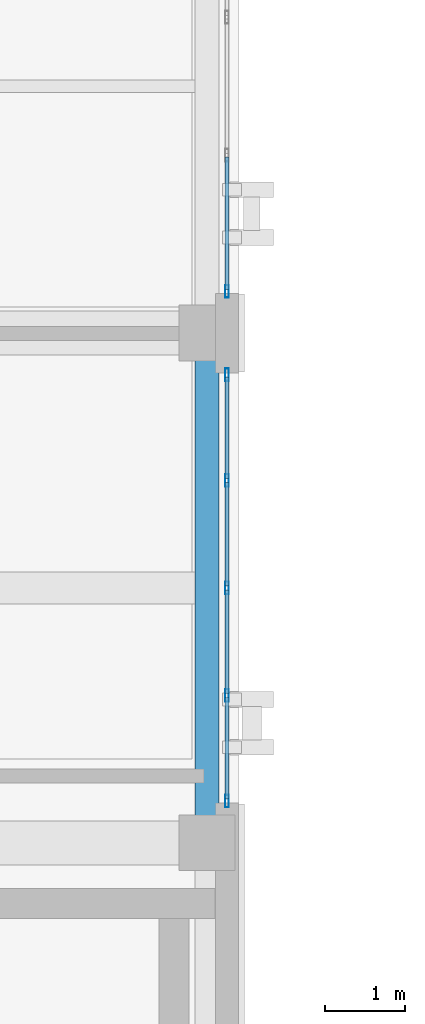
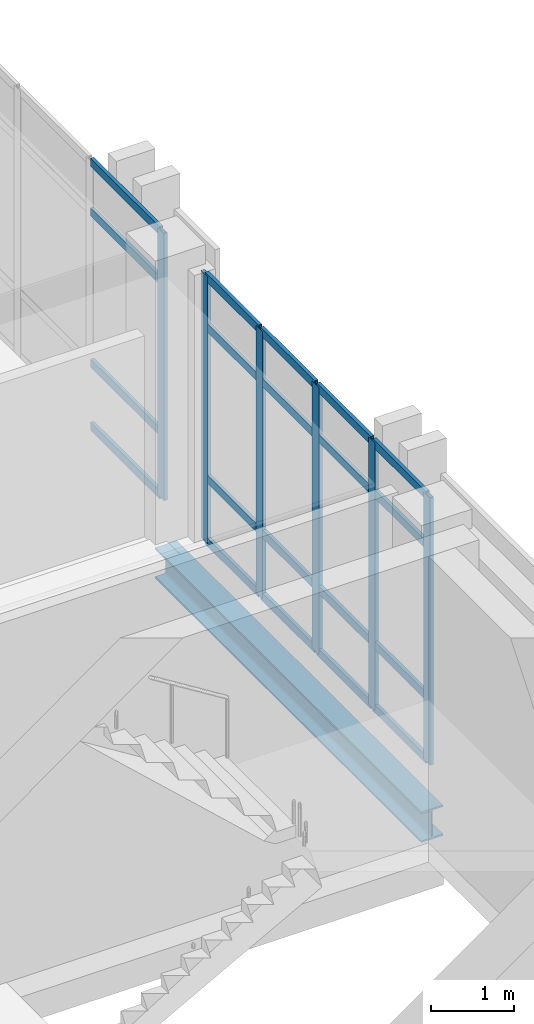
# One storey, part 104 of 165: 26 members, 1 beam, 2 elements without a shape of their own.
"""IFC4 building model written with IfcOpenShell, lengths in metres."""

from ifc_helpers import new_model, si_unit, direction, frame, origin, origin_2d, place, context, subcontext, project, spatial, hollow_rectangle, i_section, extrude, material, layer, layer_set, material_profile, profile_set, type_object, element, aggregate, save


model = new_model("IFC4")

# Units and contexts
model_context = context("Model", 3, precision=1e-05, world=origin(), true_north=direction((0.0, 1.0)))
body_context = subcontext(model_context, "Body", "Model", "MODEL_VIEW")
ifc_project = project(units=[si_unit("LENGTHUNIT", "METRE"), si_unit("AREAUNIT", "SQUARE_METRE"), si_unit("VOLUMEUNIT", "CUBIC_METRE"), si_unit("PLANEANGLEUNIT", "RADIAN"), si_unit("MASSUNIT", "GRAM", prefix="KILO")], contexts=[model_context])

# Site, building, storey
site_placement = place(None, origin())
site = spatial("IfcSite", under=ifc_project, at=site_placement, CompositionType="ELEMENT")
building_placement = place(site_placement, origin())
building = spatial("IfcBuilding", under=site, at=building_placement, Name="Qalavern Law Courts", CompositionType="ELEMENT")
storey_placement = place(building_placement, frame((0.0, 0.0, 14.39990234375)))
storey = spatial("IfcBuildingStorey", under=building, at=storey_placement, Name="L03", CompositionType="ELEMENT", Elevation=14.39990234375)

# Curtain wall, members
ifc_material_1 = material(Name="Anodised aluminium and insulated glazing", Category="aluminium")
ifc_layer = layer(ifc_material_1, 0.172119140625)
ifc_layer_set = layer_set([ifc_layer], Name="Anodised aluminium and insulated glazing")
curtain_wall_type = type_object("IfcCurtainWallType", Name="ENV-CW-COURT", PredefinedType="USERDEFINED", material=ifc_layer_set)
curtain_wall_1_placement = place(storey_placement, origin())
curtain_wall_1 = element("IfcCurtainWall", 1, at=curtain_wall_1_placement, inside=storey, type_object=curtain_wall_type, Name="V4 unitised curtain wall L03 east 4", ObjectType="UNITISED CURTAIN WALL", PredefinedType="USERDEFINED")
ifc_material_2 = material(Name="Anodised aluminium", Category="aluminium")
ifc_material_profile_1 = material_profile(ifc_material_2, hollow_rectangle(XDim=0.048095703125, YDim=0.159912109375, WallThickness=0.00390625, at=origin_2d()), Name="ALU MULLION 48x160")
ifc_profile_set_1 = profile_set([ifc_material_profile_1], Name="Anodised aluminium")
member_type_1 = type_object("IfcMemberType", Name="ENV-CWM-48x160", PredefinedType="MULLION", material=ifc_profile_set_1)
member_1_placement = place(storey_placement, frame((106.652587890625, 73.323974609375, 0.0), z_axis=(0.0, 0.0, 1.0), x_axis=(-1.0, 0.0, 0.0)))
member_1 = element("IfcMember", 2, at=member_1_placement, type_object=member_type_1, Name="CW-03 mullion 1", PredefinedType="MULLION", context=body_context, shape_type="SweptSolid", body=[
    extrude(hollow_rectangle(XDim=0.048095703125, YDim=0.159912109375, WallThickness=0.00390625, at=origin_2d()), origin(), (0.0, 0.0, 1.0), 3.920166015625),
])
member_2_placement = place(storey_placement, frame((106.652587890625, 74.64990234375, 0.0), z_axis=(0.0, 0.0, 1.0), x_axis=(-1.0, 0.0, 0.0)))
member_2 = element("IfcMember", 3, at=member_2_placement, type_object=member_type_1, Name="CW-03 mullion 2", PredefinedType="MULLION", context=body_context, shape_type="SweptSolid", body=[
    extrude(hollow_rectangle(XDim=0.048095703125, YDim=0.159912109375, WallThickness=0.00390625, at=origin_2d()), origin(), (0.0, 0.0, 1.0), 3.920166015625),
])
member_3_placement = place(storey_placement, frame((106.652587890625, 76.0, 0.0), z_axis=(0.0, 0.0, 1.0), x_axis=(-1.0, 0.0, 0.0)))
member_3 = element("IfcMember", 4, at=member_3_placement, type_object=member_type_1, Name="CW-03 mullion 3", PredefinedType="MULLION", context=body_context, shape_type="SweptSolid", body=[
    extrude(hollow_rectangle(XDim=0.048095703125, YDim=0.159912109375, WallThickness=0.00390625, at=origin_2d()), origin(), (0.0, 0.0, 1.0), 3.920166015625),
])
member_4_placement = place(storey_placement, frame((106.652587890625, 77.35009765625, 0.0), z_axis=(0.0, 0.0, 1.0), x_axis=(-1.0, 0.0, 0.0)))
member_4 = element("IfcMember", 5, at=member_4_placement, type_object=member_type_1, Name="CW-03 mullion 4", PredefinedType="MULLION", context=body_context, shape_type="SweptSolid", body=[
    extrude(hollow_rectangle(XDim=0.048095703125, YDim=0.159912109375, WallThickness=0.00390625, at=origin_2d()), origin(), (0.0, 0.0, 1.0), 3.920166015625),
])
member_5_placement = place(storey_placement, frame((106.652587890625, 78.676025390625, 0.0), z_axis=(0.0, 0.0, 1.0), x_axis=(-1.0, 0.0, 0.0)))
member_5 = element("IfcMember", 6, at=member_5_placement, type_object=member_type_1, Name="CW-03 mullion 5", PredefinedType="MULLION", context=body_context, shape_type="SweptSolid", body=[
    extrude(hollow_rectangle(XDim=0.048095703125, YDim=0.159912109375, WallThickness=0.00390625, at=origin_2d()), origin(), (0.0, 0.0, 1.0), 3.920166015625),
])

# Curtain wall, member
curtain_wall_2_placement = place(storey_placement, origin())
curtain_wall_2 = element("IfcCurtainWall", 7, at=curtain_wall_2_placement, inside=storey, type_object=curtain_wall_type, Name="V4 unitised curtain wall L03 east 5", ObjectType="UNITISED CURTAIN WALL", PredefinedType="USERDEFINED")
member_6_placement = place(storey_placement, frame((106.652587890625, 79.72412109375, 0.0), z_axis=(0.0, 0.0, 1.0), x_axis=(-1.0, 0.0, 0.0)))
member_6 = element("IfcMember", 8, at=member_6_placement, type_object=member_type_1, Name="CW-03 mullion 1", PredefinedType="MULLION", context=body_context, shape_type="SweptSolid", body=[
    extrude(hollow_rectangle(XDim=0.048095703125, YDim=0.159912109375, WallThickness=0.00390625, at=origin_2d()), origin(), (0.0, 0.0, 1.0), 3.920166015625),
])

# Member
ifc_material_profile_2 = material_profile(ifc_material_2, hollow_rectangle(XDim=0.048095703125, YDim=0.1201171875, WallThickness=0.00390625, at=origin_2d()), Name="ALU TRANSOM 48x120")
ifc_profile_set_2 = profile_set([ifc_material_profile_2], Name="Anodised aluminium")
member_type_2 = type_object("IfcMemberType", Name="ENV-CWT-48x120", PredefinedType="USERDEFINED", material=ifc_profile_set_2)
member_7_placement = place(storey_placement, frame((106.652587890625, 73.347900390625, 0.024169921875), z_axis=(0.0, 1.0, 0.0), x_axis=(-1.0, 0.0, 0.0)))
member_7 = element("IfcMember", 9, at=member_7_placement, type_object=member_type_2, Name="CW-03 transom 1.1", ObjectType="TRANSOM", PredefinedType="USERDEFINED", context=body_context, shape_type="SweptSolid", body=[
    extrude(hollow_rectangle(XDim=0.048095703125, YDim=0.1201171875, WallThickness=0.00390625, at=origin_2d()), origin(), (0.0, 0.0, 1.0), 1.278076171875),
])

member_8_placement = place(storey_placement, frame((106.652587890625, 73.347900390625, 0.9501953125), z_axis=(0.0, 1.0, 0.0), x_axis=(-1.0, 0.0, 0.0)))
member_8 = element("IfcMember", 10, at=member_8_placement, type_object=member_type_2, Name="CW-03 transom 1.2", ObjectType="TRANSOM", PredefinedType="USERDEFINED", context=body_context, shape_type="SweptSolid", body=[
    extrude(hollow_rectangle(XDim=0.048095703125, YDim=0.1201171875, WallThickness=0.00390625, at=origin_2d()), origin(), (0.0, 0.0, 1.0), 1.278076171875),
])

member_9_placement = place(storey_placement, frame((106.652587890625, 73.347900390625, 3.170166015625), z_axis=(0.0, 1.0, 0.0), x_axis=(-1.0, 0.0, 0.0)))
member_9 = element("IfcMember", 11, at=member_9_placement, type_object=member_type_2, Name="CW-03 transom 1.3", ObjectType="TRANSOM", PredefinedType="USERDEFINED", context=body_context, shape_type="SweptSolid", body=[
    extrude(hollow_rectangle(XDim=0.048095703125, YDim=0.1201171875, WallThickness=0.00390625, at=origin_2d()), origin(), (0.0, 0.0, 1.0), 1.278076171875),
])

member_10_placement = place(storey_placement, frame((106.652587890625, 73.347900390625, 3.89599609375), z_axis=(0.0, 1.0, 0.0), x_axis=(-1.0, 0.0, 0.0)))
member_10 = element("IfcMember", 12, at=member_10_placement, type_object=member_type_2, Name="CW-03 transom 1.4", ObjectType="TRANSOM", PredefinedType="USERDEFINED", context=body_context, shape_type="SweptSolid", body=[
    extrude(hollow_rectangle(XDim=0.048095703125, YDim=0.1201171875, WallThickness=0.00390625, at=origin_2d()), origin(), (0.0, 0.0, 1.0), 1.278076171875),
])

member_11_placement = place(storey_placement, frame((106.652587890625, 74.674072265625, 0.024169921875), z_axis=(0.0, 1.0, 0.0), x_axis=(-1.0, 0.0, 0.0)))
member_11 = element("IfcMember", 13, at=member_11_placement, type_object=member_type_2, Name="CW-03 transom 2.1", ObjectType="TRANSOM", PredefinedType="USERDEFINED", context=body_context, shape_type="SweptSolid", body=[
    extrude(hollow_rectangle(XDim=0.048095703125, YDim=0.1201171875, WallThickness=0.00390625, at=origin_2d()), origin(), (0.0, 0.0, 1.0), 1.302001953125),
])

member_12_placement = place(storey_placement, frame((106.652587890625, 74.674072265625, 0.9501953125), z_axis=(0.0, 1.0, 0.0), x_axis=(-1.0, 0.0, 0.0)))
member_12 = element("IfcMember", 14, at=member_12_placement, type_object=member_type_2, Name="CW-03 transom 2.2", ObjectType="TRANSOM", PredefinedType="USERDEFINED", context=body_context, shape_type="SweptSolid", body=[
    extrude(hollow_rectangle(XDim=0.048095703125, YDim=0.1201171875, WallThickness=0.00390625, at=origin_2d()), origin(), (0.0, 0.0, 1.0), 1.302001953125),
])

member_13_placement = place(storey_placement, frame((106.652587890625, 74.674072265625, 3.170166015625), z_axis=(0.0, 1.0, 0.0), x_axis=(-1.0, 0.0, 0.0)))
member_13 = element("IfcMember", 15, at=member_13_placement, type_object=member_type_2, Name="CW-03 transom 2.3", ObjectType="TRANSOM", PredefinedType="USERDEFINED", context=body_context, shape_type="SweptSolid", body=[
    extrude(hollow_rectangle(XDim=0.048095703125, YDim=0.1201171875, WallThickness=0.00390625, at=origin_2d()), origin(), (0.0, 0.0, 1.0), 1.302001953125),
])

member_14_placement = place(storey_placement, frame((106.652587890625, 74.674072265625, 3.89599609375), z_axis=(0.0, 1.0, 0.0), x_axis=(-1.0, 0.0, 0.0)))
member_14 = element("IfcMember", 16, at=member_14_placement, type_object=member_type_2, Name="CW-03 transom 2.4", ObjectType="TRANSOM", PredefinedType="USERDEFINED", context=body_context, shape_type="SweptSolid", body=[
    extrude(hollow_rectangle(XDim=0.048095703125, YDim=0.1201171875, WallThickness=0.00390625, at=origin_2d()), origin(), (0.0, 0.0, 1.0), 1.302001953125),
])

member_15_placement = place(storey_placement, frame((106.652587890625, 76.02392578125, 0.024169921875), z_axis=(0.0, 1.0, 0.0), x_axis=(-1.0, 0.0, 0.0)))
member_15 = element("IfcMember", 17, at=member_15_placement, type_object=member_type_2, Name="CW-03 transom 3.1", ObjectType="TRANSOM", PredefinedType="USERDEFINED", context=body_context, shape_type="SweptSolid", body=[
    extrude(hollow_rectangle(XDim=0.048095703125, YDim=0.1201171875, WallThickness=0.00390625, at=origin_2d()), origin(), (0.0, 0.0, 1.0), 1.302001953125),
])

member_16_placement = place(storey_placement, frame((106.652587890625, 76.02392578125, 0.9501953125), z_axis=(0.0, 1.0, 0.0), x_axis=(-1.0, 0.0, 0.0)))
member_16 = element("IfcMember", 18, at=member_16_placement, type_object=member_type_2, Name="CW-03 transom 3.2", ObjectType="TRANSOM", PredefinedType="USERDEFINED", context=body_context, shape_type="SweptSolid", body=[
    extrude(hollow_rectangle(XDim=0.048095703125, YDim=0.1201171875, WallThickness=0.00390625, at=origin_2d()), origin(), (0.0, 0.0, 1.0), 1.302001953125),
])

member_17_placement = place(storey_placement, frame((106.652587890625, 76.02392578125, 3.170166015625), z_axis=(0.0, 1.0, 0.0), x_axis=(-1.0, 0.0, 0.0)))
member_17 = element("IfcMember", 19, at=member_17_placement, type_object=member_type_2, Name="CW-03 transom 3.3", ObjectType="TRANSOM", PredefinedType="USERDEFINED", context=body_context, shape_type="SweptSolid", body=[
    extrude(hollow_rectangle(XDim=0.048095703125, YDim=0.1201171875, WallThickness=0.00390625, at=origin_2d()), origin(), (0.0, 0.0, 1.0), 1.302001953125),
])

member_18_placement = place(storey_placement, frame((106.652587890625, 76.02392578125, 3.89599609375), z_axis=(0.0, 1.0, 0.0), x_axis=(-1.0, 0.0, 0.0)))
member_18 = element("IfcMember", 20, at=member_18_placement, type_object=member_type_2, Name="CW-03 transom 3.4", ObjectType="TRANSOM", PredefinedType="USERDEFINED", context=body_context, shape_type="SweptSolid", body=[
    extrude(hollow_rectangle(XDim=0.048095703125, YDim=0.1201171875, WallThickness=0.00390625, at=origin_2d()), origin(), (0.0, 0.0, 1.0), 1.302001953125),
])

member_19_placement = place(storey_placement, frame((106.652587890625, 77.3740234375, 0.024169921875), z_axis=(0.0, 1.0, 0.0), x_axis=(-1.0, 0.0, 0.0)))
member_19 = element("IfcMember", 21, at=member_19_placement, type_object=member_type_2, Name="CW-03 transom 4.1", ObjectType="TRANSOM", PredefinedType="USERDEFINED", context=body_context, shape_type="SweptSolid", body=[
    extrude(hollow_rectangle(XDim=0.048095703125, YDim=0.1201171875, WallThickness=0.00390625, at=origin_2d()), origin(), (0.0, 0.0, 1.0), 1.278076171875),
])

member_20_placement = place(storey_placement, frame((106.652587890625, 77.3740234375, 0.9501953125), z_axis=(0.0, 1.0, 0.0), x_axis=(-1.0, 0.0, 0.0)))
member_20 = element("IfcMember", 22, at=member_20_placement, type_object=member_type_2, Name="CW-03 transom 4.2", ObjectType="TRANSOM", PredefinedType="USERDEFINED", context=body_context, shape_type="SweptSolid", body=[
    extrude(hollow_rectangle(XDim=0.048095703125, YDim=0.1201171875, WallThickness=0.00390625, at=origin_2d()), origin(), (0.0, 0.0, 1.0), 1.278076171875),
])

member_21_placement = place(storey_placement, frame((106.652587890625, 77.3740234375, 3.170166015625), z_axis=(0.0, 1.0, 0.0), x_axis=(-1.0, 0.0, 0.0)))
member_21 = element("IfcMember", 23, at=member_21_placement, type_object=member_type_2, Name="CW-03 transom 4.3", ObjectType="TRANSOM", PredefinedType="USERDEFINED", context=body_context, shape_type="SweptSolid", body=[
    extrude(hollow_rectangle(XDim=0.048095703125, YDim=0.1201171875, WallThickness=0.00390625, at=origin_2d()), origin(), (0.0, 0.0, 1.0), 1.278076171875),
])

member_22_placement = place(storey_placement, frame((106.652587890625, 77.3740234375, 3.89599609375), z_axis=(0.0, 1.0, 0.0), x_axis=(-1.0, 0.0, 0.0)))
member_22 = element("IfcMember", 24, at=member_22_placement, type_object=member_type_2, Name="CW-03 transom 4.4", ObjectType="TRANSOM", PredefinedType="USERDEFINED", context=body_context, shape_type="SweptSolid", body=[
    extrude(hollow_rectangle(XDim=0.048095703125, YDim=0.1201171875, WallThickness=0.00390625, at=origin_2d()), origin(), (0.0, 0.0, 1.0), 1.278076171875),
])

aggregate(curtain_wall_1, [member_1, member_2, member_3, member_4, member_5, member_7, member_8, member_9, member_10, member_11, member_12, member_13, member_14, member_15, member_16, member_17, member_18, member_19, member_20, member_21, member_22])

member_23_placement = place(storey_placement, frame((106.652587890625, 79.748046875, 0.024169921875), z_axis=(0.0, 1.0, 0.0), x_axis=(-1.0, 0.0, 0.0)))
member_23 = element("IfcMember", 25, at=member_23_placement, type_object=member_type_2, Name="CW-03 transom 1.1", ObjectType="TRANSOM", PredefinedType="USERDEFINED", context=body_context, shape_type="SweptSolid", body=[
    extrude(hollow_rectangle(XDim=0.048095703125, YDim=0.1201171875, WallThickness=0.00390625, at=origin_2d()), origin(), (0.0, 0.0, 1.0), 1.661376953125),
])

member_24_placement = place(storey_placement, frame((106.652587890625, 79.748046875, 0.9501953125), z_axis=(0.0, 1.0, 0.0), x_axis=(-1.0, 0.0, 0.0)))
member_24 = element("IfcMember", 26, at=member_24_placement, type_object=member_type_2, Name="CW-03 transom 1.2", ObjectType="TRANSOM", PredefinedType="USERDEFINED", context=body_context, shape_type="SweptSolid", body=[
    extrude(hollow_rectangle(XDim=0.048095703125, YDim=0.1201171875, WallThickness=0.00390625, at=origin_2d()), origin(), (0.0, 0.0, 1.0), 1.661376953125),
])

member_25_placement = place(storey_placement, frame((106.652587890625, 79.748046875, 3.170166015625), z_axis=(0.0, 1.0, 0.0), x_axis=(-1.0, 0.0, 0.0)))
member_25 = element("IfcMember", 27, at=member_25_placement, type_object=member_type_2, Name="CW-03 transom 1.3", ObjectType="TRANSOM", PredefinedType="USERDEFINED", context=body_context, shape_type="SweptSolid", body=[
    extrude(hollow_rectangle(XDim=0.048095703125, YDim=0.1201171875, WallThickness=0.00390625, at=origin_2d()), origin(), (0.0, 0.0, 1.0), 1.661376953125),
])

member_26_placement = place(storey_placement, frame((106.652587890625, 79.748046875, 3.89599609375), z_axis=(0.0, 1.0, 0.0), x_axis=(-1.0, 0.0, 0.0)))
member_26 = element("IfcMember", 28, at=member_26_placement, type_object=member_type_2, Name="CW-03 transom 1.4", ObjectType="TRANSOM", PredefinedType="USERDEFINED", context=body_context, shape_type="SweptSolid", body=[
    extrude(hollow_rectangle(XDim=0.048095703125, YDim=0.1201171875, WallThickness=0.00390625, at=origin_2d()), origin(), (0.0, 0.0, 1.0), 1.661376953125),
])

aggregate(curtain_wall_2, [member_6, member_23, member_24, member_25, member_26])

# Beam
ifc_material_3 = material(Name="Steel S355", Category="steel")
ifc_material_profile_3 = material_profile(ifc_material_3, i_section(OverallWidth=0.300048828125, OverallDepth=0.449951171875, WebThickness=0.013916015625, FlangeThickness=0.02587890625, FilletRadius=0.027099609375, at=origin_2d()), Name="HEB 450")
ifc_profile_set_3 = profile_set([ifc_material_profile_3], Name="Steel S355")
beam_type = type_object("IfcBeamType", Name="STR-SP-HEB450", PredefinedType="SPANDREL", material=ifc_profile_set_3)
beam_placement = place(storey_placement, frame((106.39990234375, 72.800048828125, -0.510009765625), z_axis=(0.0, 1.0, 0.0), x_axis=(-1.0, 0.0, 0.0)))
element("IfcBeam", 29, at=beam_placement, inside=storey, type_object=beam_type, Name="V4 Y-beam 3-5 L03", PredefinedType="SPANDREL", context=body_context, shape_type="SweptSolid", body=[
    extrude(i_section(OverallWidth=0.300048828125, OverallDepth=0.449951171875, WebThickness=0.013916015625, FlangeThickness=0.02587890625, FilletRadius=0.027099609375, at=origin_2d()), origin(), (0.0, 0.0, 1.0), 6.39990234375),
])

save(model, "model.ifc")
